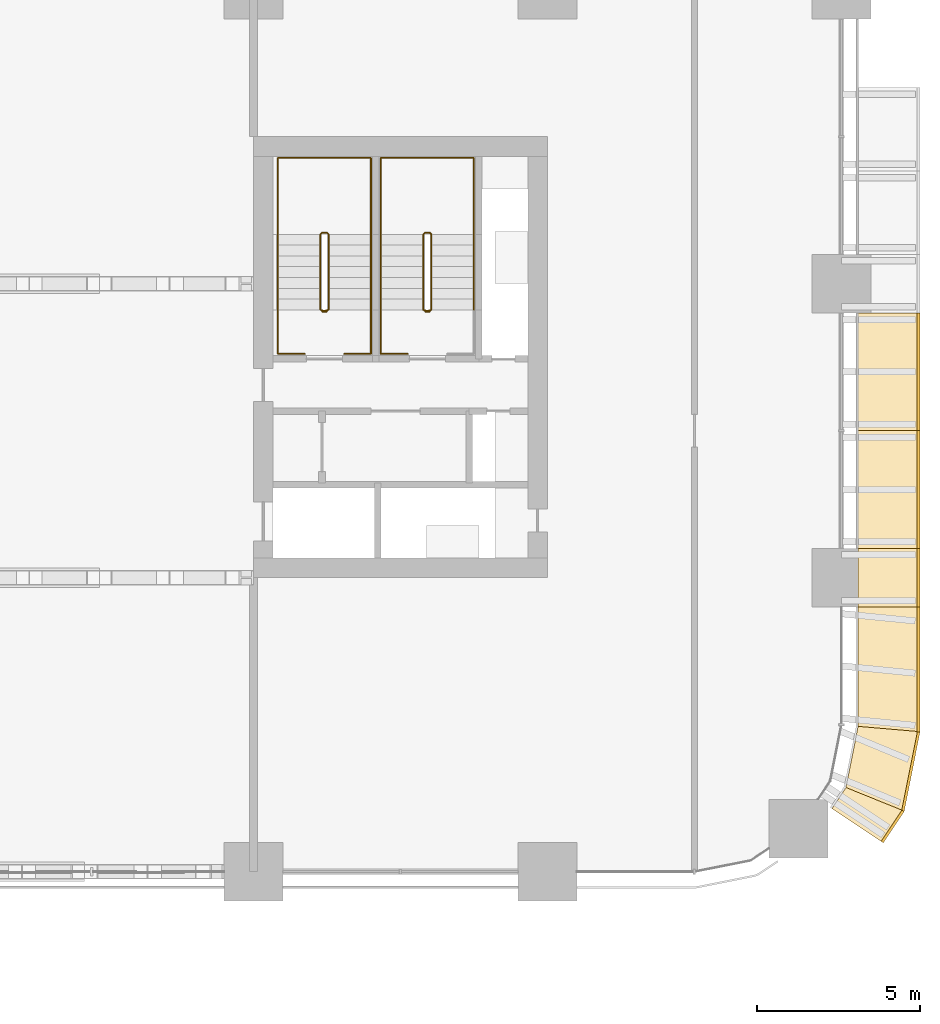
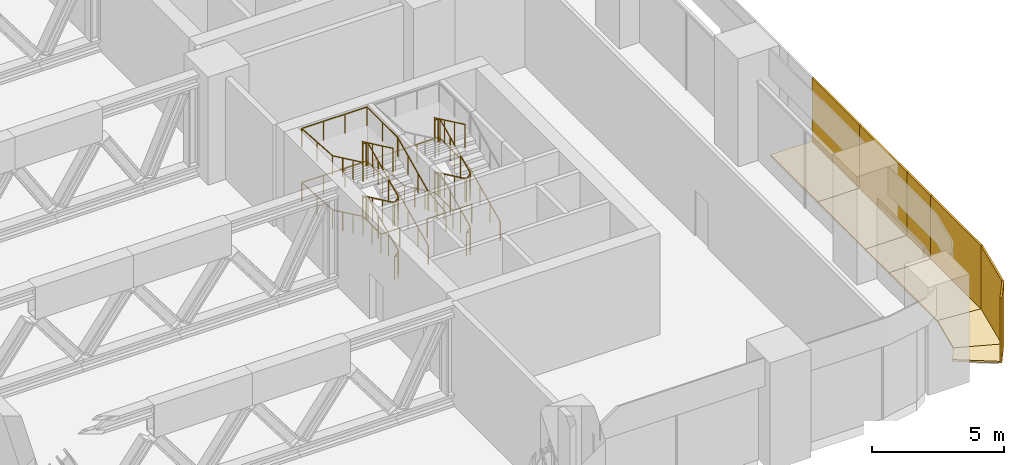
# One storey, part 31 of 35: 12 coverings, 5 railings.
"""IFC4 building model written with IfcOpenShell, lengths in metres."""

from ifc_helpers import new_model, si_unit, direction, frame, origin, origin_2d, place, context, subcontext, project, spatial, polyline, rectangle, circle, outline, extrude, material, layer, layer_set, type_object, element, save


model = new_model("IFC4")

# Units and contexts
model_context = context("Model", 3, precision=1e-05, world=origin(), true_north=direction((0.0, 1.0)))
body_context = subcontext(model_context, "Body", "Model", "MODEL_VIEW")
ifc_project = project(units=[si_unit("LENGTHUNIT", "METRE"), si_unit("AREAUNIT", "SQUARE_METRE"), si_unit("VOLUMEUNIT", "CUBIC_METRE"), si_unit("PLANEANGLEUNIT", "RADIAN"), si_unit("MASSUNIT", "GRAM", prefix="KILO")], contexts=[model_context])

# Site, building, storey
site_placement = place(None, origin())
site = spatial("IfcSite", under=ifc_project, at=site_placement, CompositionType="ELEMENT")
building_placement = place(site_placement, origin())
building = spatial("IfcBuilding", under=site, at=building_placement, Name="Tessera Arch", CompositionType="ELEMENT")
storey_placement = place(building_placement, frame((0.0, 0.0, 26.0)))
storey = spatial("IfcBuildingStorey", under=building, at=storey_placement, Name="L04", CompositionType="ELEMENT", Elevation=26.0)

# Coverings
ifc_material_1 = material(Name="Anodised aluminium pale metal", Category="aluminium")
ifc_layer_1 = layer(ifc_material_1, 0.080078125)
ifc_layer_set_1 = layer_set([ifc_layer_1], Name="Podium cornice fascia pale metal")
covering_type_1 = type_object("IfcCoveringType", Name="Podium cornice fascia pale metal", PredefinedType="CLADDING", material=ifc_layer_set_1)
covering_1_placement = place(storey_placement, frame((55.565185546875, 1.385009765625, 0.0), z_axis=(0.0, 0.0, 1.0), x_axis=(0.555659318073, 0.831410080669, 0.0)))
element("IfcCovering", 1, at=covering_1_placement, inside=storey, type_object=covering_type_1, Name="Podium cornice fascia 1", PredefinedType="CLADDING", context=body_context, shape_type="SweptSolid", body=[
    extrude(rectangle(XDim=1.15087890625, YDim=0.080078125, at=origin_2d()), origin(), (0.0, 0.0, 1.0), 3.0),
])
covering_2_placement = place(storey_placement, frame((56.122314453125, 3.06787109375, 0.0), z_axis=(0.0, 0.0, 1.0), x_axis=(0.195064579403, 0.980790400576, 0.0)))
element("IfcCovering", 2, at=covering_2_placement, inside=storey, type_object=covering_type_1, Name="Podium cornice fascia 2", PredefinedType="CLADDING", context=body_context, shape_type="SweptSolid", body=[
    extrude(rectangle(XDim=2.4697265625, YDim=0.080078125, at=origin_2d()), origin(), (0.0, 0.0, 1.0), 3.0),
])
covering_3_placement = place(storey_placement, frame((56.360107421875, 6.185791015625, 0.0), z_axis=(0.0, 0.0, 1.0), x_axis=(0.0, 1.0, 0.0)))
element("IfcCovering", 3, at=covering_3_placement, inside=storey, type_object=covering_type_1, Name="Podium cornice fascia 3", PredefinedType="CLADDING", context=body_context, shape_type="SweptSolid", body=[
    extrude(rectangle(XDim=3.836181640625, YDim=0.080078125, at=origin_2d()), origin(), (0.0, 0.0, 1.0), 3.0),
])
covering_4_placement = place(storey_placement, frame((56.360107421875, 9.0, 0.0), z_axis=(0.0, 0.0, 1.0), x_axis=(0.0, 1.0, 0.0)))
element("IfcCovering", 4, at=covering_4_placement, inside=storey, type_object=covering_type_1, Name="Podium cornice fascia 4", PredefinedType="CLADDING", context=body_context, shape_type="SweptSolid", body=[
    extrude(rectangle(XDim=1.800048828125, YDim=0.080078125, at=origin_2d()), origin(), (0.0, 0.0, 1.0), 3.0),
])
for number, where, z_axis, x_axis, name in (
    (5, (56.360107421875, 11.699951171875, 0.0), (0.0, 0.0, 1.0), (0.0, 1.0, 0.0), "Podium cornice fascia 5"),
    (6, (56.360107421875, 15.300048828125, 0.0), (0.0, 0.0, 1.0), (0.0, 1.0, 0.0), "Podium cornice fascia 6"),
):
    element("IfcCovering", number, at=place(storey_placement, frame(where, z_axis=z_axis, x_axis=x_axis)), inside=storey, type_object=covering_type_1, Name=name, PredefinedType="CLADDING", context=body_context, shape_type="SweptSolid", body=[
        extrude(rectangle(XDim=3.60009765625, YDim=0.080078125, at=origin_2d()), origin(), (0.0, 0.0, 1.0), 3.0),
    ])
ifc_material_2 = material(Name="Anodised aluminium pale metal", Category="aluminium")
ifc_layer_2 = layer(ifc_material_2, 0.080078125)
ifc_layer_set_2 = layer_set([ifc_layer_2], Name="Podium cornice soffit pale metal")
covering_type_2 = type_object("IfcCoveringType", Name="Podium cornice soffit pale metal", PredefinedType="CLADDING", material=ifc_layer_set_2)
covering_5_placement = place(storey_placement, origin())
element("IfcCovering", 7, at=covering_5_placement, inside=storey, type_object=covering_type_2, Name="Podium cornice soffit 1", PredefinedType="CLADDING", context=body_context, shape_type="SweptSolid", body=[
    extrude(outline(polyline([(55.212158203125, 0.928955078125), (55.851806640625, 1.8857421875), (54.137939453125, 2.578857421875), (53.707275390625, 1.9345703125), (55.212158203125, 0.928955078125)])), origin(), (0.0, 0.0, 1.0), 0.080078125),
])
covering_6_placement = place(storey_placement, origin())
element("IfcCovering", 8, at=covering_6_placement, inside=storey, type_object=covering_type_2, Name="Podium cornice soffit 2", PredefinedType="CLADDING", context=body_context, shape_type="SweptSolid", body=[
    extrude(outline(polyline([(55.84423828125, 1.8720703125), (56.326171875, 4.294189453125), (54.510009765625, 4.44970703125), (54.137939453125, 2.578857421875), (55.84423828125, 1.8720703125)])), origin(), (0.0, 0.0, 1.0), 0.080078125),
])
covering_7_placement = place(storey_placement, origin())
element("IfcCovering", 9, at=covering_7_placement, inside=storey, type_object=covering_type_2, Name="Podium cornice soffit 3", PredefinedType="CLADDING", context=body_context, shape_type="SweptSolid", body=[
    extrude(outline(polyline([(56.3203125, 4.271484375), (56.3203125, 8.10791015625), (54.510009765625, 8.10009765625), (54.510009765625, 4.44970703125), (56.3203125, 4.271484375)])), origin(), (0.0, 0.0, 1.0), 0.080078125),
])
covering_8_placement = place(storey_placement, origin())
element("IfcCovering", 10, at=covering_8_placement, inside=storey, type_object=covering_type_2, Name="Podium cornice soffit 4", PredefinedType="CLADDING", context=body_context, shape_type="SweptSolid", body=[
    extrude(outline(polyline([(56.320068359375, 8.10009765625), (56.320068359375, 9.89990234375), (54.510009765625, 9.89990234375), (54.510009765625, 8.10009765625), (56.320068359375, 8.10009765625)])), origin(), (0.0, 0.0, 1.0), 0.080078125),
])
covering_9_placement = place(storey_placement, origin())
element("IfcCovering", 11, at=covering_9_placement, inside=storey, type_object=covering_type_2, Name="Podium cornice soffit 5", PredefinedType="CLADDING", context=body_context, shape_type="SweptSolid", body=[
    extrude(outline(polyline([(56.320068359375, 9.89990234375), (56.320068359375, 13.5), (54.510009765625, 13.5), (54.510009765625, 9.89990234375), (56.320068359375, 9.89990234375)])), origin(), (0.0, 0.0, 1.0), 0.080078125),
])
covering_10_placement = place(storey_placement, origin())
element("IfcCovering", 12, at=covering_10_placement, inside=storey, type_object=covering_type_2, Name="Podium cornice soffit 6", PredefinedType="CLADDING", context=body_context, shape_type="SweptSolid", body=[
    extrude(outline(polyline([(56.320068359375, 13.5), (56.320068359375, 17.10009765625), (54.510009765625, 17.10009765625), (54.510009765625, 13.5), (56.320068359375, 13.5)])), origin(), (0.0, 0.0, 1.0), 0.080078125),
])

# Railings
ifc_material_3 = material(Name="Painted steel balustrade", Category="steel")
railing_type_1 = type_object("IfcRailingType", Name="Stair guard 1100", PredefinedType="GUARDRAIL", material=ifc_material_3)
railing_1_placement = place(storey_placement, frame((38.25, 17.14990234375, 0.0)))
element("IfcRailing", 13, at=railing_1_placement, inside=storey, type_object=railing_type_1, Name="L04 S3a stair guard 1", PredefinedType="GUARDRAIL", context=body_context, shape_type="SweptSolid", body=[
    extrude(circle(Radius=0.02392578125, at=origin_2d()), frame((0.00390625, 0.0, 1.076171875), z_axis=(-1.0, 0.0, 0.0), x_axis=(0.0, -1.0, 0.0)), (0.0, 0.0, 1.0), 0.157958984375),
    extrude(circle(Radius=0.02392578125, at=origin_2d()), frame((-0.153076171875, -0.000732421875, 1.07373046875), z_axis=(0.77305925043, 0.19350078918, 0.604100024756), x_axis=(-0.242814311512, 0.970072785993, 0.0)), (0.0, 0.0, 1.0), 0.2666015625),
    extrude(circle(Radius=0.02392578125, at=origin_2d()), frame((0.050048828125, 0.04638671875, 1.23046875), z_axis=(0.0, 0.903811734687, 0.427930307694), x_axis=(-1.0, 0.0, 0.0)), (0.0, 0.0, 1.0), 2.56396484375),
    extrude(circle(Radius=0.02392578125, at=origin_2d()), frame((0.052978515625, 2.357177734375, 2.326171875), z_axis=(-0.707106781187, 0.707106781187, 0.0), x_axis=(-0.707106781187, -0.707106781187, 0.0)), (0.0, 0.0, 1.0), 0.078857421875),
    extrude(circle(Radius=0.02392578125, at=origin_2d()), frame((0.00390625, 2.41015625, 2.326171875), z_axis=(-1.0, 0.0, 0.0), x_axis=(0.0, -1.0, 0.0)), (0.0, 0.0, 1.0), 0.157958984375),
    extrude(circle(Radius=0.02392578125, at=origin_2d()), frame((-0.148681640625, 2.411376953125, 2.322509765625), z_axis=(-0.29177245553, -0.29177245553, 0.91089937336), x_axis=(0.707106781187, -0.707106781187, 0.0)), (0.0, 0.0, 1.0), 0.179443359375),
    extrude(circle(Radius=0.02392578125, at=origin_2d()), frame((-0.199951171875, 2.36376953125, 2.48046875), z_axis=(0.0, -0.903811734687, 0.427930307694), x_axis=(1.0, 0.0, 0.0)), (0.0, 0.0, 1.0), 2.56396484375),
    extrude(circle(Radius=0.02392578125, at=origin_2d()), frame((-0.203857421875, 0.051025390625, 3.576171875), z_axis=(0.970072785993, -0.242814311512, 0.0), x_axis=(0.242814311512, 0.970072785993, 0.0)), (0.0, 0.0, 1.0), 0.214111328125),
    extrude(circle(Radius=0.02392578125, at=origin_2d()), frame((0.00390625, 0.0, 3.576171875), z_axis=(-1.0, 0.0, 0.0), x_axis=(0.0, -1.0, 0.0)), (0.0, 0.0, 1.0), 0.157958984375),
    extrude(circle(Radius=0.02392578125, at=origin_2d()), frame((-0.153076171875, -0.000732421875, 3.57373046875), z_axis=(0.77305925043, 0.19350078918, 0.604100024756), x_axis=(-0.242814311512, 0.970072785993, 0.0)), (0.0, 0.0, 1.0), 0.2666015625),
    extrude(circle(Radius=0.02392578125, at=origin_2d()), frame((0.050048828125, 0.04638671875, 3.73046875), z_axis=(0.0, 0.903811734687, 0.427930307694), x_axis=(-1.0, 0.0, 0.0)), (0.0, 0.0, 1.0), 2.56396484375),
    extrude(circle(Radius=0.02392578125, at=origin_2d()), frame((0.052978515625, 2.357177734375, 4.826171875), z_axis=(-0.707106781187, 0.707106781187, 0.0), x_axis=(-0.707106781187, -0.707106781187, 0.0)), (0.0, 0.0, 1.0), 0.078857421875),
    extrude(circle(Radius=0.02392578125, at=origin_2d()), frame((0.00390625, 2.41015625, 4.826171875), z_axis=(-1.0, 0.0, 0.0), x_axis=(0.0, -1.0, 0.0)), (0.0, 0.0, 1.0), 0.157958984375),
    extrude(circle(Radius=0.02392578125, at=origin_2d()), frame((-0.148681640625, 2.411376953125, 4.822509765625), z_axis=(-0.29177245553, -0.29177245553, 0.91089937336), x_axis=(0.707106781187, -0.707106781187, 0.0)), (0.0, 0.0, 1.0), 0.179443359375),
    extrude(circle(Radius=0.02392578125, at=origin_2d()), frame((-0.199951171875, 2.36376953125, 4.98046875), z_axis=(0.0, -0.903811734687, 0.427930307694), x_axis=(1.0, 0.0, 0.0)), (0.0, 0.0, 1.0), 2.56396484375),
    extrude(circle(Radius=0.02099609375, at=origin_2d()), origin(), (0.0, 0.0, 1.0), 1.06396484375),
    extrude(circle(Radius=0.02099609375, at=origin_2d()), frame((-0.14990234375, 0.0, 0.0)), (0.0, 0.0, 1.0), 1.06396484375),
    extrude(circle(Radius=0.02099609375, at=origin_2d()), frame((0.050048828125, 0.050048828125, 0.15625)), (0.0, 0.0, 1.0), 1.06396484375),
    extrude(circle(Radius=0.02099609375, at=origin_2d()), frame((0.050048828125, 0.820068359375, 0.520751953125)), (0.0, 0.0, 1.0), 1.06396484375),
    extrude(circle(Radius=0.02099609375, at=origin_2d()), frame((0.050048828125, 1.590087890625, 0.885498046875)), (0.0, 0.0, 1.0), 1.06396484375),
    extrude(circle(Radius=0.02099609375, at=origin_2d()), frame((0.050048828125, 2.360107421875, 1.25)), (0.0, 0.0, 1.0), 1.06396484375),
    extrude(circle(Radius=0.02099609375, at=origin_2d()), frame((0.0, 2.41015625, 1.25)), (0.0, 0.0, 1.0), 1.06396484375),
    extrude(circle(Radius=0.02099609375, at=origin_2d()), frame((-0.14990234375, 2.41015625, 1.25)), (0.0, 0.0, 1.0), 1.06396484375),
    extrude(circle(Radius=0.02099609375, at=origin_2d()), frame((-0.199951171875, 2.360107421875, 1.40625)), (0.0, 0.0, 1.0), 1.06396484375),
    extrude(circle(Radius=0.02099609375, at=origin_2d()), frame((-0.199951171875, 1.590087890625, 1.770751953125)), (0.0, 0.0, 1.0), 1.06396484375),
    extrude(circle(Radius=0.02099609375, at=origin_2d()), frame((-0.199951171875, 0.820068359375, 2.135498046875)), (0.0, 0.0, 1.0), 1.06396484375),
    extrude(circle(Radius=0.02099609375, at=origin_2d()), frame((-0.199951171875, 0.050048828125, 2.5)), (0.0, 0.0, 1.0), 1.06396484375),
    extrude(circle(Radius=0.02099609375, at=origin_2d()), frame((0.0, 0.0, 2.5)), (0.0, 0.0, 1.0), 1.06396484375),
    extrude(circle(Radius=0.02099609375, at=origin_2d()), frame((-0.14990234375, 0.0, 2.5)), (0.0, 0.0, 1.0), 1.06396484375),
    extrude(circle(Radius=0.02099609375, at=origin_2d()), frame((0.050048828125, 0.050048828125, 2.65625)), (0.0, 0.0, 1.0), 1.06396484375),
    extrude(circle(Radius=0.02099609375, at=origin_2d()), frame((0.050048828125, 0.820068359375, 3.020751953125)), (0.0, 0.0, 1.0), 1.06396484375),
    extrude(circle(Radius=0.02099609375, at=origin_2d()), frame((0.050048828125, 1.590087890625, 3.385498046875)), (0.0, 0.0, 1.0), 1.06396484375),
    extrude(circle(Radius=0.02099609375, at=origin_2d()), frame((0.050048828125, 2.360107421875, 3.75)), (0.0, 0.0, 1.0), 1.06396484375),
    extrude(circle(Radius=0.02099609375, at=origin_2d()), frame((0.0, 2.41015625, 3.75)), (0.0, 0.0, 1.0), 1.06396484375),
    extrude(circle(Radius=0.02099609375, at=origin_2d()), frame((-0.14990234375, 2.41015625, 3.75)), (0.0, 0.0, 1.0), 1.06396484375),
    extrude(circle(Radius=0.02099609375, at=origin_2d()), frame((-0.199951171875, 2.360107421875, 3.90625)), (0.0, 0.0, 1.0), 1.06396484375),
    extrude(circle(Radius=0.02099609375, at=origin_2d()), frame((-0.199951171875, 1.590087890625, 4.270751953125)), (0.0, 0.0, 1.0), 1.06396484375),
    extrude(circle(Radius=0.02099609375, at=origin_2d()), frame((-0.199951171875, 0.820068359375, 4.635498046875)), (0.0, 0.0, 1.0), 1.06396484375),
    extrude(circle(Radius=0.02099609375, at=origin_2d()), frame((-0.199951171875, 0.050048828125, 5.0)), (0.0, 0.0, 1.0), 1.06396484375),
])
railing_2_placement = place(storey_placement, frame((41.39990234375, 17.14990234375, 0.0)))
element("IfcRailing", 14, at=railing_2_placement, inside=storey, type_object=railing_type_1, Name="L04 S3b stair guard 1", PredefinedType="GUARDRAIL", context=body_context, shape_type="SweptSolid", body=[
    extrude(circle(Radius=0.02392578125, at=origin_2d()), frame((0.00390625, 0.0, 1.076171875), z_axis=(-1.0, 0.0, 0.0), x_axis=(0.0, -1.0, 0.0)), (0.0, 0.0, 1.0), 0.157958984375),
    extrude(circle(Radius=0.02392578125, at=origin_2d()), frame((-0.153076171875, -0.000732421875, 1.07373046875), z_axis=(0.77305925043, 0.19350078918, 0.604100024756), x_axis=(-0.242814311512, 0.970072785993, 0.0)), (0.0, 0.0, 1.0), 0.2666015625),
    extrude(circle(Radius=0.02392578125, at=origin_2d()), frame((0.050048828125, 0.04638671875, 1.23046875), z_axis=(0.0, 0.903811734687, 0.427930307694), x_axis=(-1.0, 0.0, 0.0)), (0.0, 0.0, 1.0), 2.56396484375),
    extrude(circle(Radius=0.02392578125, at=origin_2d()), frame((0.052978515625, 2.357177734375, 2.326171875), z_axis=(-0.707106781187, 0.707106781187, 0.0), x_axis=(-0.707106781187, -0.707106781187, 0.0)), (0.0, 0.0, 1.0), 0.078857421875),
    extrude(circle(Radius=0.02392578125, at=origin_2d()), frame((0.00390625, 2.41015625, 2.326171875), z_axis=(-1.0, 0.0, 0.0), x_axis=(0.0, -1.0, 0.0)), (0.0, 0.0, 1.0), 0.157958984375),
    extrude(circle(Radius=0.02392578125, at=origin_2d()), frame((-0.148681640625, 2.411376953125, 2.322509765625), z_axis=(-0.29177245553, -0.29177245553, 0.91089937336), x_axis=(0.707106781187, -0.707106781187, 0.0)), (0.0, 0.0, 1.0), 0.179443359375),
    extrude(circle(Radius=0.02392578125, at=origin_2d()), frame((-0.199951171875, 2.36376953125, 2.48046875), z_axis=(0.0, -0.903811734687, 0.427930307694), x_axis=(1.0, 0.0, 0.0)), (0.0, 0.0, 1.0), 2.56396484375),
    extrude(circle(Radius=0.02392578125, at=origin_2d()), frame((-0.203857421875, 0.051025390625, 3.576171875), z_axis=(0.970072785993, -0.242814311512, 0.0), x_axis=(0.242814311512, 0.970072785993, 0.0)), (0.0, 0.0, 1.0), 0.214111328125),
    extrude(circle(Radius=0.02392578125, at=origin_2d()), frame((0.00390625, 0.0, 3.576171875), z_axis=(-1.0, 0.0, 0.0), x_axis=(0.0, -1.0, 0.0)), (0.0, 0.0, 1.0), 0.157958984375),
    extrude(circle(Radius=0.02392578125, at=origin_2d()), frame((-0.153076171875, -0.000732421875, 3.57373046875), z_axis=(0.77305925043, 0.19350078918, 0.604100024756), x_axis=(-0.242814311512, 0.970072785993, 0.0)), (0.0, 0.0, 1.0), 0.2666015625),
    extrude(circle(Radius=0.02392578125, at=origin_2d()), frame((0.050048828125, 0.04638671875, 3.73046875), z_axis=(0.0, 0.903811734687, 0.427930307694), x_axis=(-1.0, 0.0, 0.0)), (0.0, 0.0, 1.0), 2.56396484375),
    extrude(circle(Radius=0.02392578125, at=origin_2d()), frame((0.052978515625, 2.357177734375, 4.826171875), z_axis=(-0.707106781187, 0.707106781187, 0.0), x_axis=(-0.707106781187, -0.707106781187, 0.0)), (0.0, 0.0, 1.0), 0.078857421875),
    extrude(circle(Radius=0.02392578125, at=origin_2d()), frame((0.00390625, 2.41015625, 4.826171875), z_axis=(-1.0, 0.0, 0.0), x_axis=(0.0, -1.0, 0.0)), (0.0, 0.0, 1.0), 0.157958984375),
    extrude(circle(Radius=0.02392578125, at=origin_2d()), frame((-0.148681640625, 2.411376953125, 4.822509765625), z_axis=(-0.29177245553, -0.29177245553, 0.91089937336), x_axis=(0.707106781187, -0.707106781187, 0.0)), (0.0, 0.0, 1.0), 0.179443359375),
    extrude(circle(Radius=0.02392578125, at=origin_2d()), frame((-0.199951171875, 2.36376953125, 4.98046875), z_axis=(0.0, -0.903811734687, 0.427930307694), x_axis=(1.0, 0.0, 0.0)), (0.0, 0.0, 1.0), 2.56396484375),
    extrude(circle(Radius=0.02099609375, at=origin_2d()), origin(), (0.0, 0.0, 1.0), 1.06396484375),
    extrude(circle(Radius=0.02099609375, at=origin_2d()), frame((-0.14990234375, 0.0, 0.0)), (0.0, 0.0, 1.0), 1.06396484375),
    extrude(circle(Radius=0.02099609375, at=origin_2d()), frame((0.050048828125, 0.050048828125, 0.15625)), (0.0, 0.0, 1.0), 1.06396484375),
    extrude(circle(Radius=0.02099609375, at=origin_2d()), frame((0.050048828125, 0.820068359375, 0.520751953125)), (0.0, 0.0, 1.0), 1.06396484375),
    extrude(circle(Radius=0.02099609375, at=origin_2d()), frame((0.050048828125, 1.590087890625, 0.885498046875)), (0.0, 0.0, 1.0), 1.06396484375),
    extrude(circle(Radius=0.02099609375, at=origin_2d()), frame((0.050048828125, 2.360107421875, 1.25)), (0.0, 0.0, 1.0), 1.06396484375),
    extrude(circle(Radius=0.02099609375, at=origin_2d()), frame((0.0, 2.41015625, 1.25)), (0.0, 0.0, 1.0), 1.06396484375),
    extrude(circle(Radius=0.02099609375, at=origin_2d()), frame((-0.14990234375, 2.41015625, 1.25)), (0.0, 0.0, 1.0), 1.06396484375),
    extrude(circle(Radius=0.02099609375, at=origin_2d()), frame((-0.199951171875, 2.360107421875, 1.40625)), (0.0, 0.0, 1.0), 1.06396484375),
    extrude(circle(Radius=0.02099609375, at=origin_2d()), frame((-0.199951171875, 1.590087890625, 1.770751953125)), (0.0, 0.0, 1.0), 1.06396484375),
    extrude(circle(Radius=0.02099609375, at=origin_2d()), frame((-0.199951171875, 0.820068359375, 2.135498046875)), (0.0, 0.0, 1.0), 1.06396484375),
    extrude(circle(Radius=0.02099609375, at=origin_2d()), frame((-0.199951171875, 0.050048828125, 2.5)), (0.0, 0.0, 1.0), 1.06396484375),
    extrude(circle(Radius=0.02099609375, at=origin_2d()), frame((0.0, 0.0, 2.5)), (0.0, 0.0, 1.0), 1.06396484375),
    extrude(circle(Radius=0.02099609375, at=origin_2d()), frame((-0.14990234375, 0.0, 2.5)), (0.0, 0.0, 1.0), 1.06396484375),
    extrude(circle(Radius=0.02099609375, at=origin_2d()), frame((0.050048828125, 0.050048828125, 2.65625)), (0.0, 0.0, 1.0), 1.06396484375),
    extrude(circle(Radius=0.02099609375, at=origin_2d()), frame((0.050048828125, 0.820068359375, 3.020751953125)), (0.0, 0.0, 1.0), 1.06396484375),
    extrude(circle(Radius=0.02099609375, at=origin_2d()), frame((0.050048828125, 1.590087890625, 3.385498046875)), (0.0, 0.0, 1.0), 1.06396484375),
    extrude(circle(Radius=0.02099609375, at=origin_2d()), frame((0.050048828125, 2.360107421875, 3.75)), (0.0, 0.0, 1.0), 1.06396484375),
    extrude(circle(Radius=0.02099609375, at=origin_2d()), frame((0.0, 2.41015625, 3.75)), (0.0, 0.0, 1.0), 1.06396484375),
    extrude(circle(Radius=0.02099609375, at=origin_2d()), frame((-0.14990234375, 2.41015625, 3.75)), (0.0, 0.0, 1.0), 1.06396484375),
    extrude(circle(Radius=0.02099609375, at=origin_2d()), frame((-0.199951171875, 2.360107421875, 3.90625)), (0.0, 0.0, 1.0), 1.06396484375),
    extrude(circle(Radius=0.02099609375, at=origin_2d()), frame((-0.199951171875, 1.590087890625, 4.270751953125)), (0.0, 0.0, 1.0), 1.06396484375),
    extrude(circle(Radius=0.02099609375, at=origin_2d()), frame((-0.199951171875, 0.820068359375, 4.635498046875)), (0.0, 0.0, 1.0), 1.06396484375),
    extrude(circle(Radius=0.02099609375, at=origin_2d()), frame((-0.199951171875, 0.050048828125, 5.0)), (0.0, 0.0, 1.0), 1.06396484375),
])
ifc_material_4 = material(Name="Painted steel handrail", Category="steel")
railing_type_2 = type_object("IfcRailingType", Name="Stair handrail 900", PredefinedType="HANDRAIL", material=ifc_material_4)
railing_3_placement = place(storey_placement, frame((39.60009765625, 17.199951171875, 0.15625)))
element("IfcRailing", 15, at=railing_3_placement, inside=storey, type_object=railing_type_2, Name="L04 S3a stair handrail", PredefinedType="HANDRAIL", context=body_context, shape_type="SweptSolid", body=[
    extrude(circle(Radius=0.02392578125, at=origin_2d()), frame((0.0, -0.003662109375, 0.8740234375), z_axis=(0.0, 0.903811734687, 0.427930307694), x_axis=(-1.0, 0.0, 0.0)), (0.0, 0.0, 1.0), 2.56396484375),
    extrude(circle(Radius=0.02392578125, at=origin_2d()), frame((0.0, 2.30615234375, 1.9697265625), z_axis=(0.0, 1.0, 0.0), x_axis=(-1.0, 0.0, 0.0)), (0.0, 0.0, 1.0), 2.34814453125),
    extrude(circle(Radius=0.02392578125, at=origin_2d()), frame((0.00390625, 4.650146484375, 1.9697265625), z_axis=(-1.0, 0.0, 0.0), x_axis=(0.0, -1.0, 0.0)), (0.0, 0.0, 1.0), 2.858154296875),
    extrude(circle(Radius=0.02392578125, at=origin_2d()), frame((-2.85009765625, 4.654052734375, 1.96923828125), z_axis=(0.0, -0.997778243323, 0.066622647441), x_axis=(1.0, 0.0, 0.0)), (0.0, 0.0, 1.0), 2.353271484375),
    extrude(circle(Radius=0.02392578125, at=origin_2d()), frame((-2.85009765625, 2.313720703125, 2.1240234375), z_axis=(0.0, -0.903811734687, 0.427930307694), x_axis=(1.0, 0.0, 0.0)), (0.0, 0.0, 1.0), 2.56396484375),
    extrude(circle(Radius=0.02392578125, at=origin_2d()), frame((-2.85009765625, 0.00390625, 3.2197265625), z_axis=(0.0, -1.0, 0.0), x_axis=(1.0, 0.0, 0.0)), (0.0, 0.0, 1.0), 1.35791015625),
    extrude(circle(Radius=0.02392578125, at=origin_2d()), frame((-2.85400390625, -1.349853515625, 3.2197265625), z_axis=(1.0, 0.0, 0.0), x_axis=(0.0, 1.0, 0.0)), (0.0, 0.0, 1.0), 0.8330078125),
    extrude(circle(Radius=0.02099609375, at=origin_2d()), origin(), (0.0, 0.0, 1.0), 0.86376953125),
    extrude(circle(Radius=0.02099609375, at=origin_2d()), frame((0.0, 0.77001953125, 0.364501953125)), (0.0, 0.0, 1.0), 0.86376953125),
    extrude(circle(Radius=0.02099609375, at=origin_2d()), frame((0.0, 1.5400390625, 0.729248046875)), (0.0, 0.0, 1.0), 0.86376953125),
    extrude(circle(Radius=0.02099609375, at=origin_2d()), frame((0.0, 2.31005859375, 1.09375)), (0.0, 0.0, 1.0), 0.86376953125),
    extrude(circle(Radius=0.02099609375, at=origin_2d()), frame((0.0, 3.47998046875, 1.09375)), (0.0, 0.0, 1.0), 0.86376953125),
    extrude(circle(Radius=0.02099609375, at=origin_2d()), frame((0.0, 4.650146484375, 1.09375)), (0.0, 0.0, 1.0), 0.86376953125),
    extrude(circle(Radius=0.02099609375, at=origin_2d()), frame((-0.949951171875, 4.650146484375, 1.09375)), (0.0, 0.0, 1.0), 0.86376953125),
    extrude(circle(Radius=0.02099609375, at=origin_2d()), frame((-1.900146484375, 4.650146484375, 1.09375)), (0.0, 0.0, 1.0), 0.86376953125),
    extrude(circle(Radius=0.02099609375, at=origin_2d()), frame((-2.85009765625, 4.650146484375, 1.09375)), (0.0, 0.0, 1.0), 0.86376953125),
    extrude(circle(Radius=0.02099609375, at=origin_2d()), frame((-2.85009765625, 3.47998046875, 1.171875)), (0.0, 0.0, 1.0), 0.86376953125),
    extrude(circle(Radius=0.02099609375, at=origin_2d()), frame((-2.85009765625, 2.31005859375, 1.25)), (0.0, 0.0, 1.0), 0.86376953125),
    extrude(circle(Radius=0.02099609375, at=origin_2d()), frame((-2.85009765625, 1.5400390625, 1.614501953125)), (0.0, 0.0, 1.0), 0.86376953125),
    extrude(circle(Radius=0.02099609375, at=origin_2d()), frame((-2.85009765625, 0.77001953125, 1.979248046875)), (0.0, 0.0, 1.0), 0.86376953125),
    extrude(circle(Radius=0.02099609375, at=origin_2d()), frame((-2.85009765625, 0.0, 2.34375)), (0.0, 0.0, 1.0), 0.86376953125),
    extrude(circle(Radius=0.02099609375, at=origin_2d()), frame((-2.85009765625, -0.6748046875, 2.34375)), (0.0, 0.0, 1.0), 0.86376953125),
    extrude(circle(Radius=0.02099609375, at=origin_2d()), frame((-2.85009765625, -1.349853515625, 2.34375)), (0.0, 0.0, 1.0), 0.86376953125),
    extrude(circle(Radius=0.02099609375, at=origin_2d()), frame((-2.025146484375, -1.349853515625, 2.34375)), (0.0, 0.0, 1.0), 0.86376953125),
])
railing_4_placement = place(storey_placement, frame((38.77490234375, 15.85009765625, 2.5)))
element("IfcRailing", 16, at=railing_4_placement, inside=storey, type_object=railing_type_2, Name="L04 S3a stair handrail 2", PredefinedType="HANDRAIL", context=body_context, shape_type="SweptSolid", body=[
    extrude(circle(Radius=0.02392578125, at=origin_2d()), frame((-0.00390625, 0.0, 0.8759765625), z_axis=(1.0, 0.0, 0.0), x_axis=(0.0, 1.0, 0.0)), (0.0, 0.0, 1.0), 0.833251953125),
    extrude(circle(Radius=0.02392578125, at=origin_2d()), frame((0.8251953125, -0.00390625, 0.87548828125), z_axis=(0.0, 0.993367166886, 0.114985528451), x_axis=(-1.0, 0.0, 0.0)), (0.0, 0.0, 1.0), 1.366943359375),
    extrude(circle(Radius=0.02392578125, at=origin_2d()), frame((0.8251953125, 1.34619140625, 1.0302734375), z_axis=(0.0, 0.903811734687, 0.427930307694), x_axis=(-1.0, 0.0, 0.0)), (0.0, 0.0, 1.0), 2.56396484375),
    extrude(circle(Radius=0.02392578125, at=origin_2d()), frame((0.8251953125, 3.656005859375, 2.1259765625), z_axis=(0.0, 1.0, 0.0), x_axis=(-1.0, 0.0, 0.0)), (0.0, 0.0, 1.0), 2.34814453125),
    extrude(circle(Radius=0.02392578125, at=origin_2d()), frame((0.8291015625, 6.0, 2.1259765625), z_axis=(-1.0, 0.0, 0.0), x_axis=(0.0, -1.0, 0.0)), (0.0, 0.0, 1.0), 2.858154296875),
    extrude(circle(Radius=0.02392578125, at=origin_2d()), frame((-2.02490234375, 6.00390625, 2.12548828125), z_axis=(0.0, -0.997778243323, 0.066622647441), x_axis=(1.0, 0.0, 0.0)), (0.0, 0.0, 1.0), 2.353271484375),
    extrude(circle(Radius=0.02392578125, at=origin_2d()), frame((-2.02490234375, 3.66357421875, 2.2802734375), z_axis=(0.0, -0.903811734687, 0.427930307694), x_axis=(1.0, 0.0, 0.0)), (0.0, 0.0, 1.0), 2.56396484375),
    extrude(circle(Radius=0.02099609375, at=origin_2d()), origin(), (0.0, 0.0, 1.0), 0.86376953125),
    extrude(circle(Radius=0.02099609375, at=origin_2d()), frame((0.8251953125, 0.0, 0.0)), (0.0, 0.0, 1.0), 0.86376953125),
    extrude(circle(Radius=0.02099609375, at=origin_2d()), frame((0.8251953125, 0.6748046875, 0.078125)), (0.0, 0.0, 1.0), 0.86376953125),
    extrude(circle(Radius=0.02099609375, at=origin_2d()), frame((0.8251953125, 1.349853515625, 0.15625)), (0.0, 0.0, 1.0), 0.86376953125),
    extrude(circle(Radius=0.02099609375, at=origin_2d()), frame((0.8251953125, 2.119873046875, 0.520751953125)), (0.0, 0.0, 1.0), 0.86376953125),
    extrude(circle(Radius=0.02099609375, at=origin_2d()), frame((0.8251953125, 2.889892578125, 0.885498046875)), (0.0, 0.0, 1.0), 0.86376953125),
    extrude(circle(Radius=0.02099609375, at=origin_2d()), frame((0.8251953125, 3.659912109375, 1.25)), (0.0, 0.0, 1.0), 0.86376953125),
    extrude(circle(Radius=0.02099609375, at=origin_2d()), frame((0.8251953125, 4.830078125, 1.25)), (0.0, 0.0, 1.0), 0.86376953125),
    extrude(circle(Radius=0.02099609375, at=origin_2d()), frame((0.8251953125, 6.0, 1.25)), (0.0, 0.0, 1.0), 0.86376953125),
    extrude(circle(Radius=0.02099609375, at=origin_2d()), frame((-0.124755859375, 6.0, 1.25)), (0.0, 0.0, 1.0), 0.86376953125),
    extrude(circle(Radius=0.02099609375, at=origin_2d()), frame((-1.074951171875, 6.0, 1.25)), (0.0, 0.0, 1.0), 0.86376953125),
    extrude(circle(Radius=0.02099609375, at=origin_2d()), frame((-2.02490234375, 6.0, 1.25)), (0.0, 0.0, 1.0), 0.86376953125),
    extrude(circle(Radius=0.02099609375, at=origin_2d()), frame((-2.02490234375, 4.830078125, 1.328125)), (0.0, 0.0, 1.0), 0.86376953125),
    extrude(circle(Radius=0.02099609375, at=origin_2d()), frame((-2.02490234375, 3.659912109375, 1.40625)), (0.0, 0.0, 1.0), 0.86376953125),
    extrude(circle(Radius=0.02099609375, at=origin_2d()), frame((-2.02490234375, 2.889892578125, 1.770751953125)), (0.0, 0.0, 1.0), 0.86376953125),
    extrude(circle(Radius=0.02099609375, at=origin_2d()), frame((-2.02490234375, 2.119873046875, 2.135498046875)), (0.0, 0.0, 1.0), 0.86376953125),
    extrude(circle(Radius=0.02099609375, at=origin_2d()), frame((-2.02490234375, 1.349853515625, 2.5)), (0.0, 0.0, 1.0), 0.86376953125),
])
railing_5_placement = place(storey_placement, frame((42.75, 17.199951171875, 0.15625)))
element("IfcRailing", 17, at=railing_5_placement, inside=storey, type_object=railing_type_2, Name="L04 S3b stair handrail", PredefinedType="HANDRAIL", context=body_context, shape_type="SweptSolid", body=[
    extrude(circle(Radius=0.02392578125, at=origin_2d()), frame((0.0, -0.003662109375, 0.8740234375), z_axis=(0.0, 0.903811734687, 0.427930307694), x_axis=(-1.0, 0.0, 0.0)), (0.0, 0.0, 1.0), 2.56396484375),
    extrude(circle(Radius=0.02392578125, at=origin_2d()), frame((0.0, 2.30615234375, 1.9697265625), z_axis=(0.0, 1.0, 0.0), x_axis=(-1.0, 0.0, 0.0)), (0.0, 0.0, 1.0), 2.34814453125),
    extrude(circle(Radius=0.02392578125, at=origin_2d()), frame((0.00390625, 4.650146484375, 1.9697265625), z_axis=(-1.0, 0.0, 0.0), x_axis=(0.0, -1.0, 0.0)), (0.0, 0.0, 1.0), 2.858154296875),
    extrude(circle(Radius=0.02392578125, at=origin_2d()), frame((-2.85009765625, 4.654052734375, 1.96923828125), z_axis=(0.0, -0.997778243323, 0.066622647441), x_axis=(1.0, 0.0, 0.0)), (0.0, 0.0, 1.0), 2.353271484375),
    extrude(circle(Radius=0.02392578125, at=origin_2d()), frame((-2.85009765625, 2.313720703125, 2.1240234375), z_axis=(0.0, -0.903811734687, 0.427930307694), x_axis=(1.0, 0.0, 0.0)), (0.0, 0.0, 1.0), 2.56396484375),
    extrude(circle(Radius=0.02392578125, at=origin_2d()), frame((-2.85009765625, 0.00390625, 3.2197265625), z_axis=(0.0, -1.0, 0.0), x_axis=(1.0, 0.0, 0.0)), (0.0, 0.0, 1.0), 1.35791015625),
    extrude(circle(Radius=0.02392578125, at=origin_2d()), frame((-2.85400390625, -1.349853515625, 3.2197265625), z_axis=(1.0, 0.0, 0.0), x_axis=(0.0, 1.0, 0.0)), (0.0, 0.0, 1.0), 0.833251953125),
    extrude(circle(Radius=0.02099609375, at=origin_2d()), origin(), (0.0, 0.0, 1.0), 0.86376953125),
    extrude(circle(Radius=0.02099609375, at=origin_2d()), frame((0.0, 0.77001953125, 0.364501953125)), (0.0, 0.0, 1.0), 0.86376953125),
    extrude(circle(Radius=0.02099609375, at=origin_2d()), frame((0.0, 1.5400390625, 0.729248046875)), (0.0, 0.0, 1.0), 0.86376953125),
    extrude(circle(Radius=0.02099609375, at=origin_2d()), frame((0.0, 2.31005859375, 1.09375)), (0.0, 0.0, 1.0), 0.86376953125),
    extrude(circle(Radius=0.02099609375, at=origin_2d()), frame((0.0, 3.47998046875, 1.09375)), (0.0, 0.0, 1.0), 0.86376953125),
    extrude(circle(Radius=0.02099609375, at=origin_2d()), frame((0.0, 4.650146484375, 1.09375)), (0.0, 0.0, 1.0), 0.86376953125),
    extrude(circle(Radius=0.02099609375, at=origin_2d()), frame((-0.949951171875, 4.650146484375, 1.09375)), (0.0, 0.0, 1.0), 0.86376953125),
    extrude(circle(Radius=0.02099609375, at=origin_2d()), frame((-1.900146484375, 4.650146484375, 1.09375)), (0.0, 0.0, 1.0), 0.86376953125),
    extrude(circle(Radius=0.02099609375, at=origin_2d()), frame((-2.85009765625, 4.650146484375, 1.09375)), (0.0, 0.0, 1.0), 0.86376953125),
    extrude(circle(Radius=0.02099609375, at=origin_2d()), frame((-2.85009765625, 3.47998046875, 1.171875)), (0.0, 0.0, 1.0), 0.86376953125),
    extrude(circle(Radius=0.02099609375, at=origin_2d()), frame((-2.85009765625, 2.31005859375, 1.25)), (0.0, 0.0, 1.0), 0.86376953125),
    extrude(circle(Radius=0.02099609375, at=origin_2d()), frame((-2.85009765625, 1.5400390625, 1.614501953125)), (0.0, 0.0, 1.0), 0.86376953125),
    extrude(circle(Radius=0.02099609375, at=origin_2d()), frame((-2.85009765625, 0.77001953125, 1.979248046875)), (0.0, 0.0, 1.0), 0.86376953125),
    extrude(circle(Radius=0.02099609375, at=origin_2d()), frame((-2.85009765625, 0.0, 2.34375)), (0.0, 0.0, 1.0), 0.86376953125),
    extrude(circle(Radius=0.02099609375, at=origin_2d()), frame((-2.85009765625, -0.6748046875, 2.34375)), (0.0, 0.0, 1.0), 0.86376953125),
    extrude(circle(Radius=0.02099609375, at=origin_2d()), frame((-2.85009765625, -1.349853515625, 2.34375)), (0.0, 0.0, 1.0), 0.86376953125),
    extrude(circle(Radius=0.02099609375, at=origin_2d()), frame((-2.02490234375, -1.349853515625, 2.34375)), (0.0, 0.0, 1.0), 0.86376953125),
])

save(model, "model.ifc")
